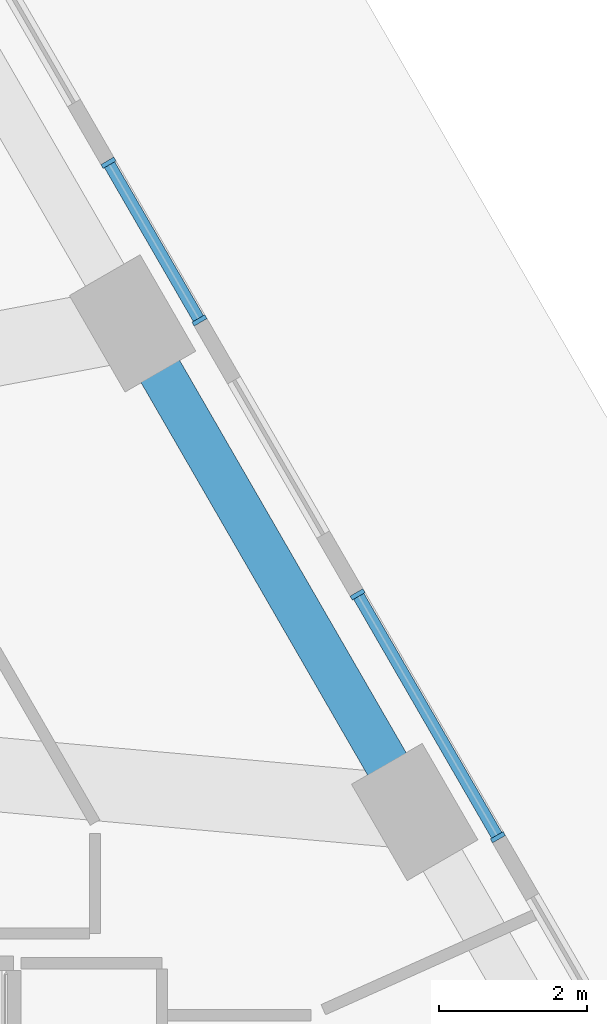
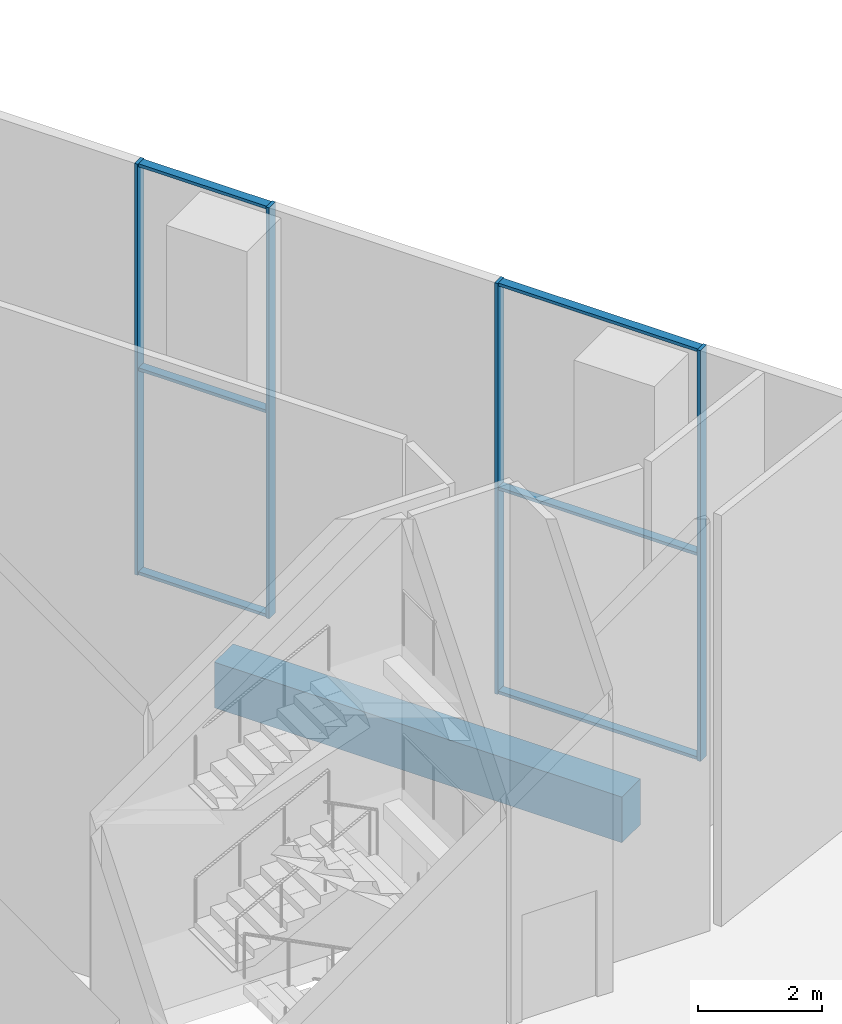
# One storey, part 15 of 41: 10 members, 1 beam, 2 elements without a shape of their own.
"""IFC4 building model written with IfcOpenShell, lengths in metres."""

from ifc_helpers import new_model, si_unit, direction, frame, origin, origin_2d, place, context, subcontext, project, spatial, rectangle, extrude, material, layer, layer_set, material_profile, profile_set, type_object, element, aggregate, save


model = new_model("IFC4")

# Units and contexts
model_context = context("Model", 3, precision=1e-05, world=origin(), true_north=direction((0.0, 1.0)))
body_context = subcontext(model_context, "Body", "Model", "MODEL_VIEW")
ifc_project = project(units=[si_unit("LENGTHUNIT", "METRE"), si_unit("AREAUNIT", "SQUARE_METRE"), si_unit("VOLUMEUNIT", "CUBIC_METRE"), si_unit("PLANEANGLEUNIT", "RADIAN"), si_unit("MASSUNIT", "GRAM", prefix="KILO")], contexts=[model_context])

# Site, building, storey
site_placement = place(None, origin())
site = spatial("IfcSite", under=ifc_project, at=site_placement, CompositionType="ELEMENT")
building_placement = place(site_placement, origin())
building = spatial("IfcBuilding", under=site, at=building_placement, Name="Triada Interchange Tower", CompositionType="ELEMENT")
storey_placement = place(building_placement, origin())
storey = spatial("IfcBuildingStorey", under=building, at=storey_placement, Name="L00", CompositionType="ELEMENT", Elevation=0.0)

# Curtain wall, members
ifc_material_1 = material(Name="Aluminium framed glazing", Category="aluminium")
ifc_layer = layer(ifc_material_1, 0.199951171875)
ifc_layer_set = layer_set([ifc_layer], Name="Curtain wall Concourse glazed screen")
curtain_wall_type = type_object("IfcCurtainWallType", Name="Curtain wall Concourse glazed screen", PredefinedType="NOTDEFINED", material=ifc_layer_set)
curtain_wall_1_placement = place(storey_placement, origin())
curtain_wall_1 = element("IfcCurtainWall", 1, at=curtain_wall_1_placement, inside=storey, type_object=curtain_wall_type, Name="Concourse glazed screen CW021 L00", PredefinedType="NOTDEFINED")
ifc_material_2 = material(Name="Aluminium", Category="aluminium")
ifc_material_profile_1 = material_profile(ifc_material_2, rectangle(XDim=0.199951171875, YDim=0.06005859375, at=origin_2d()), Name="Aluminium mullion")
ifc_profile_set_1 = profile_set([ifc_material_profile_1], Name="Aluminium")
member_type_1 = type_object("IfcMemberType", Name="Mullion Concourse glazed screen 200x60", PredefinedType="MULLION", material=ifc_profile_set_1)
member_1_placement = place(storey_placement, frame((27.426025390625, -2.701904296875, 0.0), z_axis=(0.0, 0.0, 1.0), x_axis=(-0.86597292076, -0.500090892249, 0.0)))
member_1 = element("IfcMember", 2, at=member_1_placement, type_object=member_type_1, Name="CW021 mullion 1", PredefinedType="MULLION", context=body_context, shape_type="SweptSolid", body=[
    extrude(rectangle(XDim=0.199951171875, YDim=0.06005859375, at=origin_2d()), origin(), (0.0, 0.0, 1.0), 8.10009765625),
])
member_2_placement = place(storey_placement, frame((25.537109375, 0.569091796875, 0.0), z_axis=(0.0, 0.0, 1.0), x_axis=(-0.86597292076, -0.500090892249, 0.0)))
member_2 = element("IfcMember", 3, at=member_2_placement, type_object=member_type_1, Name="CW021 mullion 2", PredefinedType="MULLION", context=body_context, shape_type="SweptSolid", body=[
    extrude(rectangle(XDim=0.199951171875, YDim=0.06005859375, at=origin_2d()), origin(), (0.0, 0.0, 1.0), 8.10009765625),
])

curtain_wall_2_placement = place(storey_placement, origin())
curtain_wall_2 = element("IfcCurtainWall", 4, at=curtain_wall_2_placement, inside=storey, type_object=curtain_wall_type, Name="Concourse glazed screen CW022 L00", PredefinedType="NOTDEFINED")
member_3_placement = place(storey_placement, frame((23.406982421875, 4.259033203125, 0.0), z_axis=(0.0, 0.0, 1.0), x_axis=(-0.865980029408, -0.500078582492, 0.0)))
member_3 = element("IfcMember", 5, at=member_3_placement, type_object=member_type_1, Name="CW022 mullion 1", PredefinedType="MULLION", context=body_context, shape_type="SweptSolid", body=[
    extrude(rectangle(XDim=0.199951171875, YDim=0.06005859375, at=origin_2d()), origin(), (0.0, 0.0, 1.0), 8.10009765625),
])
member_4_placement = place(storey_placement, frame((22.180908203125, 6.382080078125, 0.0), z_axis=(0.0, 0.0, 1.0), x_axis=(-0.865980029408, -0.500078582492, 0.0)))
member_4 = element("IfcMember", 6, at=member_4_placement, type_object=member_type_1, Name="CW022 mullion 2", PredefinedType="MULLION", context=body_context, shape_type="SweptSolid", body=[
    extrude(rectangle(XDim=0.199951171875, YDim=0.06005859375, at=origin_2d()), origin(), (0.0, 0.0, 1.0), 8.10009765625),
])

# Beam
ifc_material_3 = material(Name="Concrete C50/60", Category="concrete")
ifc_material_profile_2 = material_profile(ifc_material_3, rectangle(XDim=0.60009765625, YDim=0.89990234375, at=origin_2d()), Name="RC 600x900")
ifc_profile_set_2 = profile_set([ifc_material_profile_2], Name="Concrete C50/60")
beam_type = type_object("IfcBeamType", Name="Spandrel beam P RC 600x900", PredefinedType="BEAM", material=ifc_profile_set_2)
beam_placement = place(storey_placement, frame((26.305908203125, -2.363037109375, -0.85009765625), z_axis=(-0.499967155389, 0.866044365799, 0.0), x_axis=(-0.866044365799, -0.499967155389, 0.0)))
element("IfcBeam", 7, at=beam_placement, inside=storey, type_object=beam_type, Name="Spandrel beam EP23 L00", PredefinedType="BEAM", context=body_context, shape_type="SweptSolid", body=[
    extrude(rectangle(XDim=0.60009765625, YDim=0.89990234375, at=origin_2d()), origin(), (0.0, 0.0, 1.0), 7.60009765625),
])

# Member
ifc_material_profile_3 = material_profile(ifc_material_2, rectangle(XDim=0.159912109375, YDim=0.06005859375, at=origin_2d()), Name="Aluminium transom")
ifc_profile_set_3 = profile_set([ifc_material_profile_3], Name="Aluminium")
member_type_2 = type_object("IfcMemberType", Name="Transom Concourse glazed screen 160x60", PredefinedType="USERDEFINED", material=ifc_profile_set_3)
member_5_placement = place(storey_placement, frame((27.410888671875, -2.676025390625, 0.030029296875), z_axis=(-0.500080620599, 0.865978852456, 0.0), x_axis=(-0.865978852456, -0.500080620599, 0.0)))
member_5 = element("IfcMember", 8, at=member_5_placement, type_object=member_type_2, Name="CW021 transom 1.1", ObjectType="TRANSOM", PredefinedType="USERDEFINED", context=body_context, shape_type="SweptSolid", body=[
    extrude(rectangle(XDim=0.159912109375, YDim=0.06005859375, at=origin_2d()), origin(), (0.0, 0.0, 1.0), 3.71728515625),
])

member_6_placement = place(storey_placement, frame((27.410888671875, -2.676025390625, 4.050048828125), z_axis=(-0.500080620599, 0.865978852456, 0.0), x_axis=(-0.865978852456, -0.500080620599, 0.0)))
member_6 = element("IfcMember", 9, at=member_6_placement, type_object=member_type_2, Name="CW021 transom 1.2", ObjectType="TRANSOM", PredefinedType="USERDEFINED", context=body_context, shape_type="SweptSolid", body=[
    extrude(rectangle(XDim=0.159912109375, YDim=0.06005859375, at=origin_2d()), origin(), (0.0, 0.0, 1.0), 3.71728515625),
])

member_7_placement = place(storey_placement, frame((27.410888671875, -2.676025390625, 8.070068359375), z_axis=(-0.500080620599, 0.865978852456, 0.0), x_axis=(-0.865978852456, -0.500080620599, 0.0)))
member_7 = element("IfcMember", 10, at=member_7_placement, type_object=member_type_2, Name="CW021 transom 1.3", ObjectType="TRANSOM", PredefinedType="USERDEFINED", context=body_context, shape_type="SweptSolid", body=[
    extrude(rectangle(XDim=0.159912109375, YDim=0.06005859375, at=origin_2d()), origin(), (0.0, 0.0, 1.0), 3.71728515625),
])

aggregate(curtain_wall_1, [member_1, member_2, member_5, member_6, member_7])

member_8_placement = place(storey_placement, frame((23.39208984375, 4.284912109375, 0.030029296875), z_axis=(-0.500102410806, 0.865966268804, 0.0), x_axis=(-0.865966268804, -0.500102410806, 0.0)))
member_8 = element("IfcMember", 11, at=member_8_placement, type_object=member_type_2, Name="CW022 transom 1.1", ObjectType="TRANSOM", PredefinedType="USERDEFINED", context=body_context, shape_type="SweptSolid", body=[
    extrude(rectangle(XDim=0.159912109375, YDim=0.06005859375, at=origin_2d()), origin(), (0.0, 0.0, 1.0), 2.3916015625),
])

member_9_placement = place(storey_placement, frame((23.39208984375, 4.284912109375, 4.050048828125), z_axis=(-0.500102410806, 0.865966268804, 0.0), x_axis=(-0.865966268804, -0.500102410806, 0.0)))
member_9 = element("IfcMember", 12, at=member_9_placement, type_object=member_type_2, Name="CW022 transom 1.2", ObjectType="TRANSOM", PredefinedType="USERDEFINED", context=body_context, shape_type="SweptSolid", body=[
    extrude(rectangle(XDim=0.159912109375, YDim=0.06005859375, at=origin_2d()), origin(), (0.0, 0.0, 1.0), 2.3916015625),
])

member_10_placement = place(storey_placement, frame((23.39208984375, 4.284912109375, 8.070068359375), z_axis=(-0.500102410806, 0.865966268804, 0.0), x_axis=(-0.865966268804, -0.500102410806, 0.0)))
member_10 = element("IfcMember", 13, at=member_10_placement, type_object=member_type_2, Name="CW022 transom 1.3", ObjectType="TRANSOM", PredefinedType="USERDEFINED", context=body_context, shape_type="SweptSolid", body=[
    extrude(rectangle(XDim=0.159912109375, YDim=0.06005859375, at=origin_2d()), origin(), (0.0, 0.0, 1.0), 2.3916015625),
])

aggregate(curtain_wall_2, [member_3, member_4, member_8, member_9, member_10])

save(model, "model.ifc")
